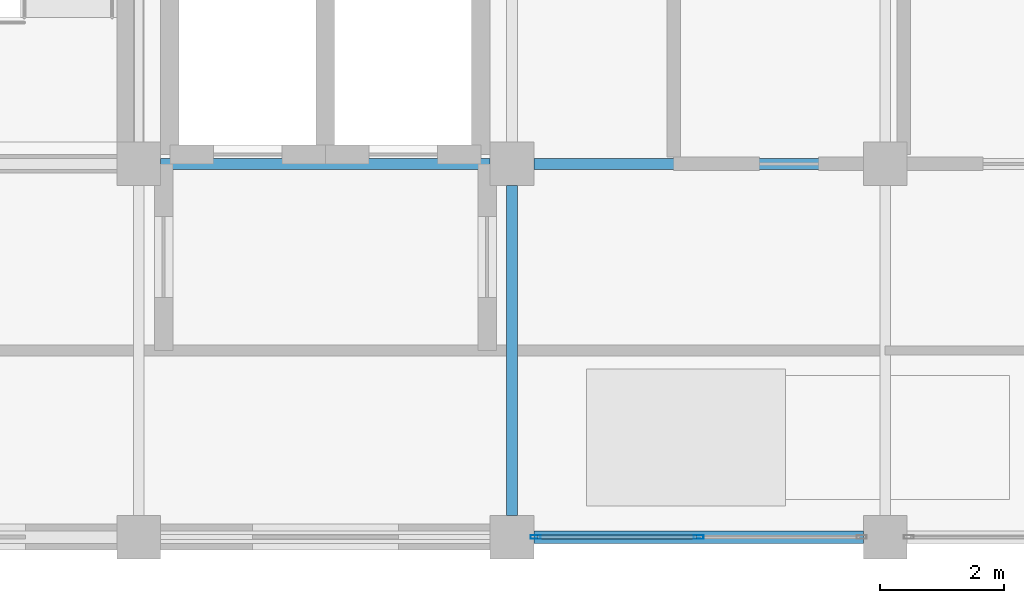
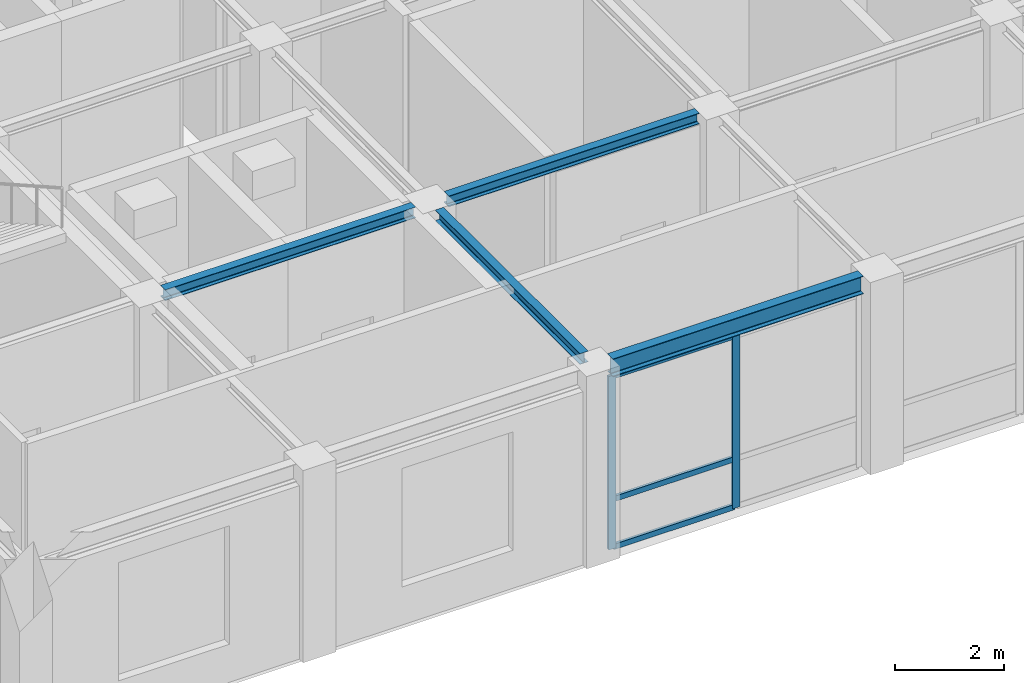
# One storey, part 4 of 11: 5 members, 4 beams, 1 element without a shape of its own.
"""IFC4 building model written with IfcOpenShell, lengths in metres."""

from ifc_helpers import new_model, si_unit, direction, frame, origin, origin_2d, place, context, subcontext, project, spatial, hollow_rectangle, i_section, extrude, material, layer, layer_set, material_profile, profile_set, type_object, element, aggregate, save


model = new_model("IFC4")

# Units and contexts
model_context = context("Model", 3, precision=1e-05, world=origin(), true_north=direction((0.0, 1.0)))
body_context = subcontext(model_context, "Body", "Model", "MODEL_VIEW")
ifc_project = project(units=[si_unit("LENGTHUNIT", "METRE"), si_unit("AREAUNIT", "SQUARE_METRE"), si_unit("VOLUMEUNIT", "CUBIC_METRE"), si_unit("PLANEANGLEUNIT", "RADIAN"), si_unit("MASSUNIT", "GRAM", prefix="KILO")], contexts=[model_context])

# Site, building, storey
site_placement = place(None, origin())
site = spatial("IfcSite", under=ifc_project, at=site_placement, CompositionType="ELEMENT")
building_placement = place(site_placement, origin())
building = spatial("IfcBuilding", under=site, at=building_placement, Name="Zlatovratsky Civic Hall", CompositionType="ELEMENT")
storey_placement = place(building_placement, frame((0.0, 0.0, 72.0)))
storey = spatial("IfcBuildingStorey", under=building, at=storey_placement, Name="L18", CompositionType="ELEMENT", Elevation=72.0)

# Beams
ifc_material_1 = material(Name="Steel S355", Category="steel")
ifc_material_profile_1 = material_profile(ifc_material_1, i_section(OverallWidth=0.175048828125, OverallDepth=0.243896484375, WebThickness=0.007080078125, FlangeThickness=0.010986328125, FilletRadius=0.01611328125, at=origin_2d()), Name="25Sh1")
ifc_profile_set_1 = profile_set([ifc_material_profile_1], Name="Steel S355")
beam_type_1 = type_object("IfcBeamType", Name="Beam_Crown_25Sh1", PredefinedType="BEAM", material=ifc_profile_set_1)
for number, where, z_axis, x_axis, name in (
    (1, (72.35009765625, 84.0, 4.177978515625), (1.0, 0.0, 0.0), (0.0, 1.0, 0.0), "BM-5258"),
    (2, (78.35009765625, 84.0, 4.177978515625), (1.0, 0.0, 0.0), (0.0, 1.0, 0.0), "BM-5259"),
    (3, (78.0, 78.35009765625, 4.177978515625), (0.0, 1.0, 0.0), (-1.0, 0.0, 0.0), "BM-5287"),
):
    element("IfcBeam", number, at=place(storey_placement, frame(where, z_axis=z_axis, x_axis=x_axis)), inside=storey, type_object=beam_type_1, Name=name, PredefinedType="BEAM", context=body_context, shape_type="SweptSolid", body=[
        extrude(i_section(OverallWidth=0.175048828125, OverallDepth=0.243896484375, WebThickness=0.007080078125, FlangeThickness=0.010986328125, FilletRadius=0.01611328125, at=origin_2d()), origin(), (0.0, 0.0, 1.0), 5.2998046875),
    ])
ifc_material_profile_2 = material_profile(ifc_material_1, i_section(OverallWidth=0.199951171875, OverallDepth=0.39990234375, WebThickness=0.008056640625, FlangeThickness=0.012939453125, FilletRadius=0.014892578125, at=origin_2d()), Name="40B2")
ifc_profile_set_2 = profile_set([ifc_material_profile_2], Name="Steel S355")
beam_type_2 = type_object("IfcBeamType", Name="Beam_Spandrel_40B2", PredefinedType="SPANDREL", material=ifc_profile_set_2)
beam_placement = place(storey_placement, frame((78.35009765625, 78.0, 4.10009765625), z_axis=(1.0, 0.0, 0.0), x_axis=(0.0, 1.0, 0.0)))
element("IfcBeam", 4, at=beam_placement, inside=storey, type_object=beam_type_2, Name="BM-5253", PredefinedType="SPANDREL", context=body_context, shape_type="SweptSolid", body=[
    extrude(i_section(OverallWidth=0.199951171875, OverallDepth=0.39990234375, WebThickness=0.008056640625, FlangeThickness=0.012939453125, FilletRadius=0.014892578125, at=origin_2d()), origin(), (0.0, 0.0, 1.0), 5.2998046875),
])

# Curtain wall, members
ifc_material_2 = material(Name="Anodised bronze aluminium", Category="aluminium")
ifc_layer = layer(ifc_material_2, 0.159912109375)
ifc_layer_set = layer_set([ifc_layer], Name="Anodised bronze aluminium")
curtain_wall_type = type_object("IfcCurtainWallType", Name="CurtainWall_Bronze_5300x3880_26", PredefinedType="NOTDEFINED", material=ifc_layer_set)
curtain_wall_placement = place(storey_placement, origin())
curtain_wall = element("IfcCurtainWall", 5, at=curtain_wall_placement, inside=storey, type_object=curtain_wall_type, Name="CW-181", PredefinedType="NOTDEFINED")
ifc_material_profile_3 = material_profile(ifc_material_2, hollow_rectangle(XDim=0.06005859375, YDim=0.159912109375, WallThickness=0.00390625, at=origin_2d()), Name="ALU 60x160x4")
ifc_profile_set_3 = profile_set([ifc_material_profile_3], Name="Anodised bronze aluminium")
member_type_1 = type_object("IfcMemberType", Name="CW_Mullion_60x160", PredefinedType="MULLION", material=ifc_profile_set_3)
member_1_placement = place(storey_placement, frame((78.3798828125, 78.0, 0.0), z_axis=(0.0, 0.0, 1.0), x_axis=(0.0, 1.0, 0.0)))
member_1 = element("IfcMember", 6, at=member_1_placement, type_object=member_type_1, Name="CW-26 mullion 1", PredefinedType="MULLION", context=body_context, shape_type="SweptSolid", body=[
    extrude(hollow_rectangle(XDim=0.06005859375, YDim=0.159912109375, WallThickness=0.00390625, at=origin_2d()), origin(), (0.0, 0.0, 1.0), 3.8798828125),
])
member_2_placement = place(storey_placement, frame((81.0, 78.0, 0.0), z_axis=(0.0, 0.0, 1.0), x_axis=(0.0, 1.0, 0.0)))
member_2 = element("IfcMember", 7, at=member_2_placement, type_object=member_type_1, Name="CW-26 mullion 2", PredefinedType="MULLION", context=body_context, shape_type="SweptSolid", body=[
    extrude(hollow_rectangle(XDim=0.06005859375, YDim=0.159912109375, WallThickness=0.00390625, at=origin_2d()), origin(), (0.0, 0.0, 1.0), 3.8798828125),
])
ifc_material_profile_4 = material_profile(ifc_material_2, hollow_rectangle(XDim=0.06005859375, YDim=0.1201171875, WallThickness=0.00390625, at=origin_2d()), Name="ALU 60x120x4")
ifc_profile_set_4 = profile_set([ifc_material_profile_4], Name="Anodised bronze aluminium")
member_type_2 = type_object("IfcMemberType", Name="CW_Transom_60x120", PredefinedType="USERDEFINED", material=ifc_profile_set_4)
member_3_placement = place(storey_placement, frame((78.409912109375, 78.0, 0.030029296875), z_axis=(1.0, 0.0, 0.0), x_axis=(0.0, 1.0, 0.0)))
member_3 = element("IfcMember", 8, at=member_3_placement, type_object=member_type_2, Name="CW-26 transom 1.1", ObjectType="TRANSOM", PredefinedType="USERDEFINED", context=body_context, shape_type="SweptSolid", body=[
    extrude(hollow_rectangle(XDim=0.06005859375, YDim=0.1201171875, WallThickness=0.00390625, at=origin_2d()), origin(), (0.0, 0.0, 1.0), 2.56005859375),
])
member_4_placement = place(storey_placement, frame((78.409912109375, 78.0, 1.10009765625), z_axis=(1.0, 0.0, 0.0), x_axis=(0.0, 1.0, 0.0)))
member_4 = element("IfcMember", 9, at=member_4_placement, type_object=member_type_2, Name="CW-26 transom 1.2", ObjectType="TRANSOM", PredefinedType="USERDEFINED", context=body_context, shape_type="SweptSolid", body=[
    extrude(hollow_rectangle(XDim=0.06005859375, YDim=0.1201171875, WallThickness=0.00390625, at=origin_2d()), origin(), (0.0, 0.0, 1.0), 2.56005859375),
])
member_5_placement = place(storey_placement, frame((78.409912109375, 78.0, 3.85009765625), z_axis=(1.0, 0.0, 0.0), x_axis=(0.0, 1.0, 0.0)))
member_5 = element("IfcMember", 10, at=member_5_placement, type_object=member_type_2, Name="CW-26 transom 1.3", ObjectType="TRANSOM", PredefinedType="USERDEFINED", context=body_context, shape_type="SweptSolid", body=[
    extrude(hollow_rectangle(XDim=0.06005859375, YDim=0.1201171875, WallThickness=0.00390625, at=origin_2d()), origin(), (0.0, 0.0, 1.0), 2.56005859375),
])
aggregate(curtain_wall, [member_1, member_2, member_3, member_4, member_5])

save(model, "model.ifc")
